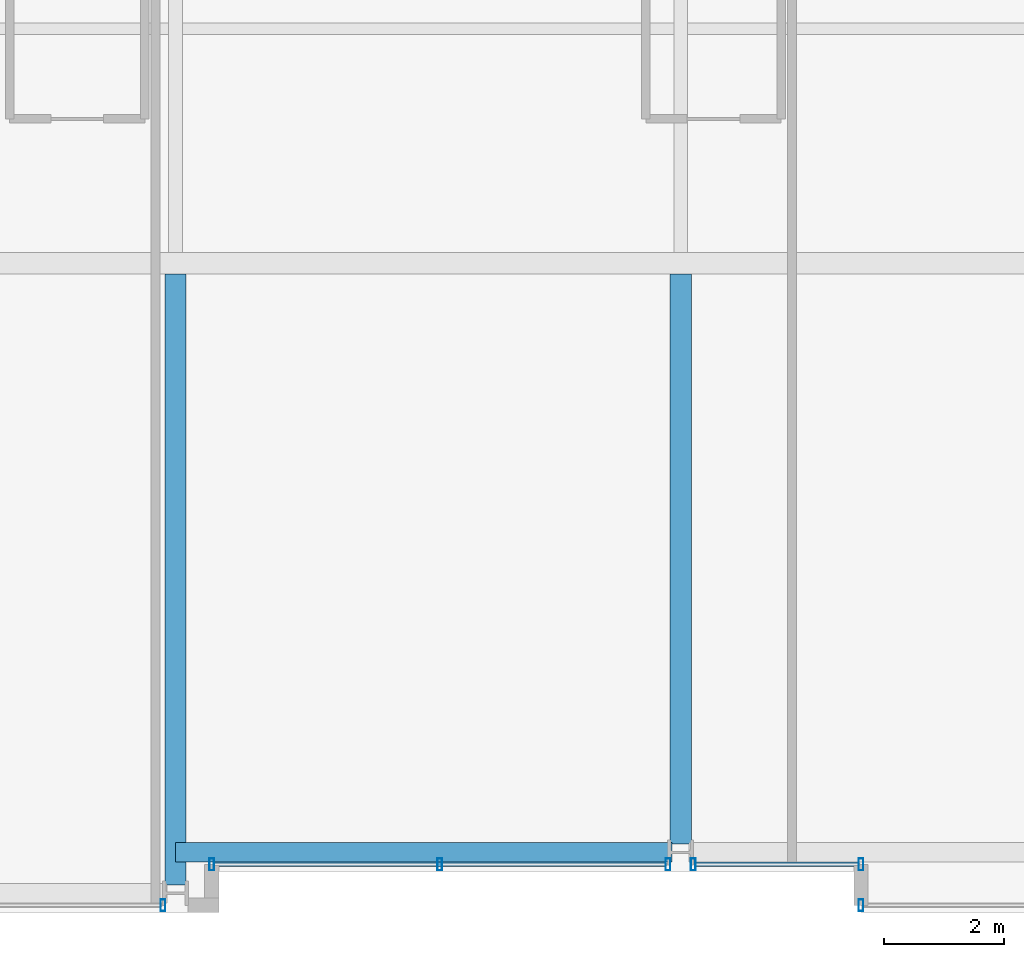
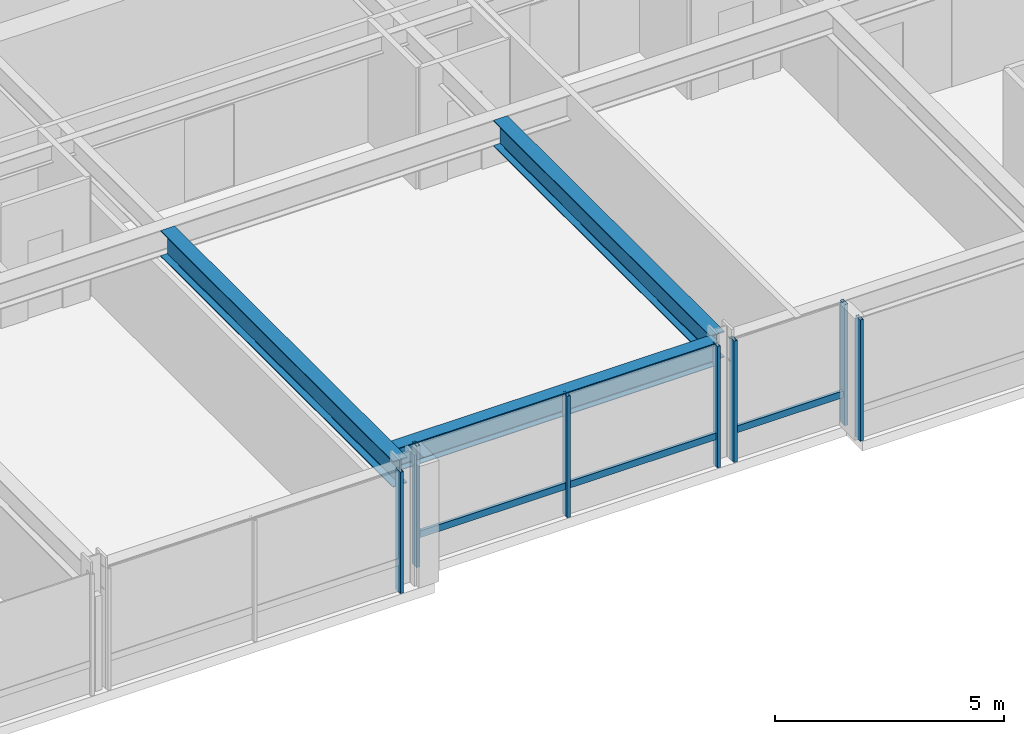
# One storey, part 5 of 34: 9 members, 3 beams, 4 elements without a shape of their own.
"""IFC4 building model written with IfcOpenShell, lengths in metres."""

import ifcopenshell
import ifcopenshell.guid

model = None  # the IFC model being written
_history = None  # IfcOwnerHistory: only IFC2X3 demands one
_inside = {}  # id of a spatial element -> (the spatial element, [elements in it])
_under = {}  # id of a project, library or spatial element -> (it, [spatial elements below it])
_declared = {}  # id of a project -> (the project, [libraries it declares])
_typed = {}  # id of a type object -> (the type object, [elements of that type])
_made_of = {}  # id of a material, layer set ... -> (it, [elements and type objects made of it])


def new_model(schema):
    """Start an empty IFC model of exactly this schema.

    Asked for "IFC4X3", IfcOpenShell would pick the latest addendum, in which some entities
    have other attributes; the version numbers below select the first issue.
    IFC2X3 requires an IfcOwnerHistory on every rooted entity: one is made here for all.
    """
    global model, _history
    if schema == "IFC4X3":
        model = ifcopenshell.file(schema_version=(4, 3, 0, 0))
    else:
        model = ifcopenshell.file(schema=schema)
    _inside.clear()
    _under.clear()
    _declared.clear()
    _typed.clear()
    _made_of.clear()
    _history = None
    if model.schema == "IFC2X3":
        org = make("IfcOrganization", Name="unknown")
        user = make(
            "IfcPersonAndOrganization",
            ThePerson=make("IfcPerson", FamilyName="unknown"),
            TheOrganization=org,
        )
        app = make(
            "IfcApplication",
            ApplicationDeveloper=org,
            Version="unknown",
            ApplicationFullName="unknown",
            ApplicationIdentifier="unknown",
        )
        _history = make(
            "IfcOwnerHistory",
            OwningUser=user,
            OwningApplication=app,
            ChangeAction="ADDED",
            CreationDate=0,
        )
    return model


def make(cls, **values):
    """One entity of the class cls with the attributes given. An attribute that is None is left unset."""
    return model.create_entity(
        cls, **{name: value for name, value in values.items() if value is not None}
    )


def rooted(cls, **values):
    """An entity with a GlobalId (a new one), such as an element, a storey or a relation."""
    return make(cls, GlobalId=ifcopenshell.guid.new(), OwnerHistory=_history, **values)


def si_unit(unit_type, name, prefix=None):
    """IfcSIUnit, for example si_unit("LENGTHUNIT", "METRE", prefix="MILLI")."""
    return make("IfcSIUnit", UnitType=unit_type, Prefix=prefix, Name=name)


def assignment(units):
    """IfcUnitAssignment: the units of a project."""
    return None if units is None else make("IfcUnitAssignment", Units=units)


def point(xyz):
    """IfcCartesianPoint."""
    return None if xyz is None else make("IfcCartesianPoint", Coordinates=xyz)


def direction(xyz):
    """IfcDirection."""
    return None if xyz is None else make("IfcDirection", DirectionRatios=xyz)


def frame(location, z_axis=None, x_axis=None):
    """IfcAxis2Placement3D, a coordinate frame: its origin and axes. An axis left out is left unset."""
    return make(
        "IfcAxis2Placement3D",
        Location=point(location),
        Axis=direction(z_axis),
        RefDirection=direction(x_axis),
    )


def frame_2d(location, x_axis=None):
    """IfcAxis2Placement2D, a coordinate frame in the plane: its origin and x axis."""
    return make(
        "IfcAxis2Placement2D", Location=point(location), RefDirection=direction(x_axis)
    )


def origin():
    """The frame at (0, 0, 0) with its axes left unset."""
    return frame((0.0, 0.0, 0.0))


def origin_2d():
    """The frame at (0, 0) in the plane with its x axis left unset."""
    return frame_2d((0.0, 0.0))


def place(relative_to, where):
    """IfcLocalPlacement: puts the frame where relative to a parent placement (None: the world)."""
    return make(
        "IfcLocalPlacement", PlacementRelTo=relative_to, RelativePlacement=where
    )


def context(
    kind, dimensions, precision=None, world=None, true_north=None, identifier=None
):
    """IfcGeometricRepresentationContext, for example the 3D "Model" context."""
    return make(
        "IfcGeometricRepresentationContext",
        ContextIdentifier=identifier,
        ContextType=kind,
        CoordinateSpaceDimension=dimensions,
        Precision=precision,
        WorldCoordinateSystem=world,
        TrueNorth=true_north,
    )


def subcontext(parent, identifier, kind, view, scale=None):
    """IfcGeometricRepresentationSubContext, for example "Body" below "Model"."""
    return make(
        "IfcGeometricRepresentationSubContext",
        ContextIdentifier=identifier,
        ContextType=kind,
        ParentContext=parent,
        TargetScale=scale,
        TargetView=view,
    )


def project(units=None, contexts=None):
    """IfcProject with its units and contexts."""
    return rooted(
        "IfcProject",
        Name="project",
        RepresentationContexts=contexts,
        UnitsInContext=assignment(units),
    )


def spatial(cls, under=None, at=None, **own):
    """A site, building, storey or space (cls), placed at a placement, below another one or the project."""
    s = rooted(cls, ObjectPlacement=at, **own)
    if under is not None:
        _under.setdefault(under.id(), (under, []))[1].append(s)
    return s


def profile(cls, at=None, kind="AREA", **sizes):
    """A parametric profile (cls). Its sizes go by their IFC names, for example OverallWidth=200.0."""
    return make(cls, ProfileType=kind, Position=at, **sizes)


def hollow_rectangle(**sizes):
    """IfcRectangleHollowProfileDef."""
    return profile("IfcRectangleHollowProfileDef", **sizes)


def i_section(**sizes):
    """IfcIShapeProfileDef."""
    return profile("IfcIShapeProfileDef", **sizes)


def extrude(swept, where, along, depth):
    """IfcExtrudedAreaSolid: the profile swept, set in the frame where, extruded along a direction by depth."""
    return make(
        "IfcExtrudedAreaSolid",
        SweptArea=swept,
        Position=where,
        ExtrudedDirection=direction(along),
        Depth=depth,
    )


def shape(context_of_items, identifier, shape_type, items):
    """IfcShapeRepresentation: the items that make up one representation, for example the "Body"."""
    return make(
        "IfcShapeRepresentation",
        ContextOfItems=context_of_items,
        RepresentationIdentifier=identifier,
        RepresentationType=shape_type,
        Items=items,
    )


def material(Name=None, Category=None):
    """IfcMaterial."""
    return make("IfcMaterial", Name=Name, Category=Category)


def layer(
    of_material, thickness, ventilated=None, Name=None, Category=None, Priority=None
):
    """IfcMaterialLayer: one layer of a wall or slab, of a material (None: an air gap)."""
    return make(
        "IfcMaterialLayer",
        Material=of_material,
        LayerThickness=thickness,
        IsVentilated=ventilated,
        Name=Name,
        Category=Category,
        Priority=Priority,
    )


def layer_set(layers, Name=None):
    """IfcMaterialLayerSet."""
    return make("IfcMaterialLayerSet", MaterialLayers=layers, LayerSetName=Name)


def material_profile(
    of_material, cross_section, Name=None, Category=None, Priority=None
):
    """IfcMaterialProfile: a cross section and its material."""
    return make(
        "IfcMaterialProfile",
        Name=Name,
        Material=of_material,
        Profile=cross_section,
        Priority=Priority,
        Category=Category,
    )


def profile_set(profiles, Name=None, composite=None):
    """IfcMaterialProfileSet."""
    return make(
        "IfcMaterialProfileSet",
        Name=Name,
        MaterialProfiles=profiles,
        CompositeProfile=composite,
    )


def made_of(thing, what):
    """Note that an element or type object is made of a material, layer set ...; save() writes the relation."""
    if what is not None:
        _made_of.setdefault(what.id(), (what, []))[1].append(thing)
    return thing


def type_object(cls, material=None, **own):
    """A type object (cls), such as IfcWallType, which elements share."""
    return made_of(rooted(cls, **own), material)


def element(
    cls,
    number,
    at=None,
    inside=None,
    cuts=None,
    type_object=None,
    material=None,
    context=None,
    identifier="Body",
    shape_type=None,
    held_by="IfcProductDefinitionShape",
    body=None,
    shapes=None,
    **own,
):
    """One element of the class cls, such as IfcWall. Its Tag is "e" and its number.

    at: its placement. inside: the storey or other place that contains it. cuts: it is an
    opening in that element (IfcRelVoidsElement). A single representation is given by context,
    identifier, shape_type and body (its items); several are given by shapes. held_by: the class
    of the entity that holds the representations. save() writes the other relations.
    """
    e = rooted(cls, Tag="e%d" % number, ObjectPlacement=at, **own)
    if body is not None:
        shapes = [shape(context, identifier, shape_type, body)]
    if shapes is not None:
        e.Representation = make(held_by, Representations=shapes)
    if inside is not None:
        _inside.setdefault(inside.id(), (inside, []))[1].append(e)
    if cuts is not None:
        rooted(
            "IfcRelVoidsElement", RelatingBuildingElement=cuts, RelatedOpeningElement=e
        )
    if type_object is not None:
        _typed.setdefault(type_object.id(), (type_object, []))[1].append(e)
    return made_of(e, material)


def aggregate(whole, parts):
    """IfcRelAggregates: a whole, such as a stair, and the parts it consists of."""
    return rooted("IfcRelAggregates", RelatingObject=whole, RelatedObjects=parts)


def save(model, path):
    """Write the relations noted so far, then the file.

    IfcRelAggregates (storeys below a building ...), IfcRelContainedInSpatialStructure (elements
    in a storey), IfcRelDefinesByType, IfcRelAssociatesMaterial and IfcRelDeclares: one each for
    every whole, place, type object, material and project.
    """
    for whole, parts in _under.values():
        aggregate(whole, parts)
    for where, things in _inside.values():
        rooted(
            "IfcRelContainedInSpatialStructure",
            RelatedElements=things,
            RelatingStructure=where,
        )
    for kind, things in _typed.values():
        rooted("IfcRelDefinesByType", RelatedObjects=things, RelatingType=kind)
    for what, things in _made_of.values():
        rooted("IfcRelAssociatesMaterial", RelatedObjects=things, RelatingMaterial=what)
    for by, libraries in _declared.values():
        rooted("IfcRelDeclares", RelatingContext=by, RelatedDefinitions=libraries)
    model.write(path)


model = new_model("IFC4")

# Units and contexts
model_context = context("Model", 3, precision=1e-05, world=origin(), true_north=direction((0.0, 1.0)))
body_context = subcontext(model_context, "Body", "Model", "MODEL_VIEW")
ifc_project = project(units=[si_unit("LENGTHUNIT", "METRE"), si_unit("AREAUNIT", "SQUARE_METRE"), si_unit("VOLUMEUNIT", "CUBIC_METRE"), si_unit("PLANEANGLEUNIT", "RADIAN"), si_unit("MASSUNIT", "GRAM", prefix="KILO")], contexts=[model_context])

# Site, building, storey
site_placement = place(None, origin())
site = spatial("IfcSite", under=ifc_project, at=site_placement, CompositionType="ELEMENT")
building_placement = place(site_placement, origin())
building = spatial("IfcBuilding", under=site, at=building_placement, Name="Drelvath Grand Hotel", CompositionType="ELEMENT")
storey_placement = place(building_placement, frame((0.0, 0.0, 126.800048828125)))
storey = spatial("IfcBuildingStorey", under=building, at=storey_placement, Name="L32", CompositionType="ELEMENT", Elevation=126.800048828125)

# Curtain wall, member
ifc_material_1 = material(Name="Champagne Bronze Anodised Aluminium Frame", Category="aluminium")
ifc_layer = layer(ifc_material_1, 0.199951171875)
ifc_layer_set = layer_set([ifc_layer], Name="Champagne Bronze Anodised Aluminium Frame")
curtain_wall_type = type_object("IfcCurtainWallType", Name="Stick Curtain Wall CW-03 Champagne Bronze Mid-Rise", PredefinedType="NOTDEFINED", material=ifc_layer_set)
curtain_wall_1_placement = place(storey_placement, origin())
curtain_wall_1 = element("IfcCurtainWall", 1, at=curtain_wall_1_placement, inside=storey, type_object=curtain_wall_type, Name="L32 CW-03 Curtain Wall CW03-L32-SM1", PredefinedType="NOTDEFINED")
ifc_material_profile_1 = material_profile(ifc_material_1, hollow_rectangle(XDim=0.074951171875, YDim=0.179931640625, WallThickness=0.0048828125, at=origin_2d()), Name="HSS180X75X5")
ifc_profile_set_1 = profile_set([ifc_material_profile_1], Name="Champagne Bronze Anodised Aluminium Frame")
member_type_1 = type_object("IfcMemberType", Name="Curtain Wall Horizontal Transom CW-03 HSS180X75X5", PredefinedType="USERDEFINED", material=ifc_profile_set_1)
member_1_placement = place(storey_placement, frame((-0.24951171875, 0.800048828125, 0.81005859375), z_axis=(-1.0, 0.0, 0.0), x_axis=(0.0, -1.0, 0.0)))
member_1 = element("IfcMember", 2, at=member_1_placement, type_object=member_type_1, Name="CW03-L32-SM1 Sill Transom", ObjectType="TRANSOM", PredefinedType="USERDEFINED", context=body_context, shape_type="SweptSolid", body=[
    extrude(hollow_rectangle(XDim=0.074951171875, YDim=0.179931640625, WallThickness=0.0048828125, at=origin_2d()), origin(), (0.0, 0.0, 1.0), 7.510498046875),
])

curtain_wall_2_placement = place(storey_placement, origin())
curtain_wall_2 = element("IfcCurtainWall", 3, at=curtain_wall_2_placement, inside=storey, type_object=curtain_wall_type, Name="L32 CW-03 Curtain Wall CW03-L32-SM2", PredefinedType="NOTDEFINED")
member_2_placement = place(storey_placement, frame((2.9599609375, 0.800048828125, 0.81005859375), z_axis=(-1.0, 0.0, 0.0), x_axis=(0.0, -1.0, 0.0)))
member_2 = element("IfcMember", 4, at=member_2_placement, type_object=member_type_1, Name="CW03-L32-SM2 Sill Transom", ObjectType="TRANSOM", PredefinedType="USERDEFINED", context=body_context, shape_type="SweptSolid", body=[
    extrude(hollow_rectangle(XDim=0.074951171875, YDim=0.179931640625, WallThickness=0.0048828125, at=origin_2d()), origin(), (0.0, 0.0, 1.0), 2.71044921875),
])

curtain_wall_3_placement = place(storey_placement, origin())
curtain_wall_3 = element("IfcCurtainWall", 5, at=curtain_wall_3_placement, inside=storey, type_object=curtain_wall_type, Name="L32 CW-03 Curtain Wall CW03-L32-SE1", PredefinedType="NOTDEFINED")
ifc_material_profile_2 = material_profile(ifc_material_1, hollow_rectangle(XDim=0.080078125, YDim=0.199951171875, WallThickness=0.0048828125, at=origin_2d()), Name="HSS200X80X5")
ifc_profile_set_2 = profile_set([ifc_material_profile_2], Name="Champagne Bronze Anodised Aluminium Frame")
member_type_2 = type_object("IfcMemberType", Name="Curtain Wall Vertical Mullion CW-03 HSS200X80X5", PredefinedType="MULLION", material=ifc_profile_set_2)
member_3_placement = place(storey_placement, frame((3.0, 0.1201171875, 0.0), z_axis=(0.0, 0.0, 1.0), x_axis=(1.0, 0.0, 0.0)))
member_3 = element("IfcMember", 6, at=member_3_placement, type_object=member_type_2, Name="CW03-L32-SE1 Mullion 2", PredefinedType="MULLION", context=body_context, shape_type="SweptSolid", body=[
    extrude(hollow_rectangle(XDim=0.080078125, YDim=0.199951171875, WallThickness=0.0048828125, at=origin_2d()), origin(), (0.0, 0.0, 1.0), 3.239990234375),
])
aggregate(curtain_wall_3, [member_3])

# Member
member_4_placement = place(storey_placement, frame((-0.20947265625, 0.800048828125, 0.0), z_axis=(0.0, 0.0, 1.0), x_axis=(1.0, 0.0, 0.0)))
member_4 = element("IfcMember", 7, at=member_4_placement, type_object=member_type_2, Name="CW03-L32-SM1 Mullion 1", PredefinedType="MULLION", context=body_context, shape_type="SweptSolid", body=[
    extrude(hollow_rectangle(XDim=0.080078125, YDim=0.199951171875, WallThickness=0.0048828125, at=origin_2d()), origin(), (0.0, 0.0, 1.0), 3.239990234375),
])

member_5_placement = place(storey_placement, frame((-4.004638671875, 0.800048828125, 0.0), z_axis=(0.0, 0.0, 1.0), x_axis=(1.0, 0.0, 0.0)))
member_5 = element("IfcMember", 8, at=member_5_placement, type_object=member_type_2, Name="CW03-L32-SM1 Mullion 2", PredefinedType="MULLION", context=body_context, shape_type="SweptSolid", body=[
    extrude(hollow_rectangle(XDim=0.080078125, YDim=0.199951171875, WallThickness=0.0048828125, at=origin_2d()), origin(), (0.0, 0.0, 1.0), 3.239990234375),
])

member_6_placement = place(storey_placement, frame((-7.800048828125, 0.800048828125, 0.0), z_axis=(0.0, 0.0, 1.0), x_axis=(1.0, 0.0, 0.0)))
member_6 = element("IfcMember", 9, at=member_6_placement, type_object=member_type_2, Name="CW03-L32-SM1 Mullion 3", PredefinedType="MULLION", context=body_context, shape_type="SweptSolid", body=[
    extrude(hollow_rectangle(XDim=0.080078125, YDim=0.199951171875, WallThickness=0.0048828125, at=origin_2d()), origin(), (0.0, 0.0, 1.0), 3.239990234375),
])

aggregate(curtain_wall_1, [member_4, member_5, member_6, member_1])

member_7_placement = place(storey_placement, frame((3.0, 0.800048828125, 0.0), z_axis=(0.0, 0.0, 1.0), x_axis=(1.0, 0.0, 0.0)))
member_7 = element("IfcMember", 10, at=member_7_placement, type_object=member_type_2, Name="CW03-L32-SM2 Mullion 1", PredefinedType="MULLION", context=body_context, shape_type="SweptSolid", body=[
    extrude(hollow_rectangle(XDim=0.080078125, YDim=0.199951171875, WallThickness=0.0048828125, at=origin_2d()), origin(), (0.0, 0.0, 1.0), 3.239990234375),
])

member_8_placement = place(storey_placement, frame((0.20947265625, 0.800048828125, 0.0), z_axis=(0.0, 0.0, 1.0), x_axis=(1.0, 0.0, 0.0)))
member_8 = element("IfcMember", 11, at=member_8_placement, type_object=member_type_2, Name="CW03-L32-SM2 Mullion 2", PredefinedType="MULLION", context=body_context, shape_type="SweptSolid", body=[
    extrude(hollow_rectangle(XDim=0.080078125, YDim=0.199951171875, WallThickness=0.0048828125, at=origin_2d()), origin(), (0.0, 0.0, 1.0), 3.239990234375),
])

aggregate(curtain_wall_2, [member_7, member_8, member_2])

# Curtain wall, member
curtain_wall_4_placement = place(storey_placement, origin())
curtain_wall_4 = element("IfcCurtainWall", 12, at=curtain_wall_4_placement, inside=storey, type_object=curtain_wall_type, Name="L32 CW-03 Curtain Wall CW03-L32-SW2", PredefinedType="NOTDEFINED")
member_9_placement = place(storey_placement, frame((-8.609375, 0.1201171875, 0.0), z_axis=(0.0, 0.0, 1.0), x_axis=(1.0, 0.0, 0.0)))
member_9 = element("IfcMember", 13, at=member_9_placement, type_object=member_type_2, Name="CW03-L32-SW2 Mullion 1", PredefinedType="MULLION", context=body_context, shape_type="SweptSolid", body=[
    extrude(hollow_rectangle(XDim=0.080078125, YDim=0.199951171875, WallThickness=0.0048828125, at=origin_2d()), origin(), (0.0, 0.0, 1.0), 3.239990234375),
])
aggregate(curtain_wall_4, [member_9])

# Beams
ifc_material_2 = material(Name="Steel ASTM A992 Gr 50", Category="steel")
ifc_material_profile_3 = material_profile(ifc_material_2, i_section(OverallWidth=0.323974609375, OverallDepth=0.611083984375, WebThickness=0.0126953125, FlangeThickness=0.01904296875, FilletRadius=0.02197265625, at=origin_2d()), Name="W24X104")
ifc_profile_set_3 = profile_set([ifc_material_profile_3], Name="Steel ASTM A992 Gr 50")
beam_type_1 = type_object("IfcBeamType", Name="Perimeter Spandrel Beam W24X104", PredefinedType="SPANDREL", material=ifc_profile_set_3)
beam_1_placement = place(storey_placement, frame((-8.39990234375, 1.0, 2.934326171875), z_axis=(1.0, 0.0, 0.0), x_axis=(0.0, 1.0, 0.0)))
element("IfcBeam", 14, at=beam_1_placement, inside=storey, type_object=beam_type_1, Name="L32 Spandrel South Mid W", PredefinedType="SPANDREL", context=body_context, shape_type="SweptSolid", body=[
    extrude(i_section(OverallWidth=0.323974609375, OverallDepth=0.611083984375, WebThickness=0.0126953125, FlangeThickness=0.01904296875, FilletRadius=0.02197265625, at=origin_2d()), origin(), (0.0, 0.0, 1.0), 8.260009765625),
])
ifc_material_profile_4 = material_profile(ifc_material_2, i_section(OverallWidth=0.354736328125, OverallDepth=0.695556640625, WebThickness=0.015380859375, FlangeThickness=0.025146484375, FilletRadius=0.02392578125, at=origin_2d()), Name="W27X146")
ifc_profile_set_4 = profile_set([ifc_material_profile_4], Name="Steel ASTM A992 Gr 50")
beam_type_2 = type_object("IfcBeamType", Name="Primary Floor Girder W27X146", PredefinedType="BEAM", material=ifc_profile_set_4)
beam_2_placement = place(storey_placement, frame((-8.39990234375, 0.4599609375, 2.892333984375), z_axis=(0.0, 1.0, 0.0), x_axis=(-1.0, 0.0, 0.0)))
element("IfcBeam", 15, at=beam_2_placement, inside=storey, type_object=beam_type_2, Name="L32 South Wing Girder 4", PredefinedType="BEAM", context=body_context, shape_type="SweptSolid", body=[
    extrude(i_section(OverallWidth=0.354736328125, OverallDepth=0.695556640625, WebThickness=0.015380859375, FlangeThickness=0.025146484375, FilletRadius=0.02392578125, at=origin_2d()), origin(), (0.0, 0.0, 1.0), 10.16259765625),
])
beam_3_placement = place(storey_placement, frame((0.0, 1.139892578125, 2.892333984375), z_axis=(0.0, 1.0, 0.0), x_axis=(-1.0, 0.0, 0.0)))
element("IfcBeam", 16, at=beam_3_placement, inside=storey, type_object=beam_type_2, Name="L32 South Wing Girder 5", PredefinedType="BEAM", context=body_context, shape_type="SweptSolid", body=[
    extrude(i_section(OverallWidth=0.354736328125, OverallDepth=0.695556640625, WebThickness=0.015380859375, FlangeThickness=0.025146484375, FilletRadius=0.02392578125, at=origin_2d()), origin(), (0.0, 0.0, 1.0), 9.482666015625),
])

save(model, "model.ifc")
